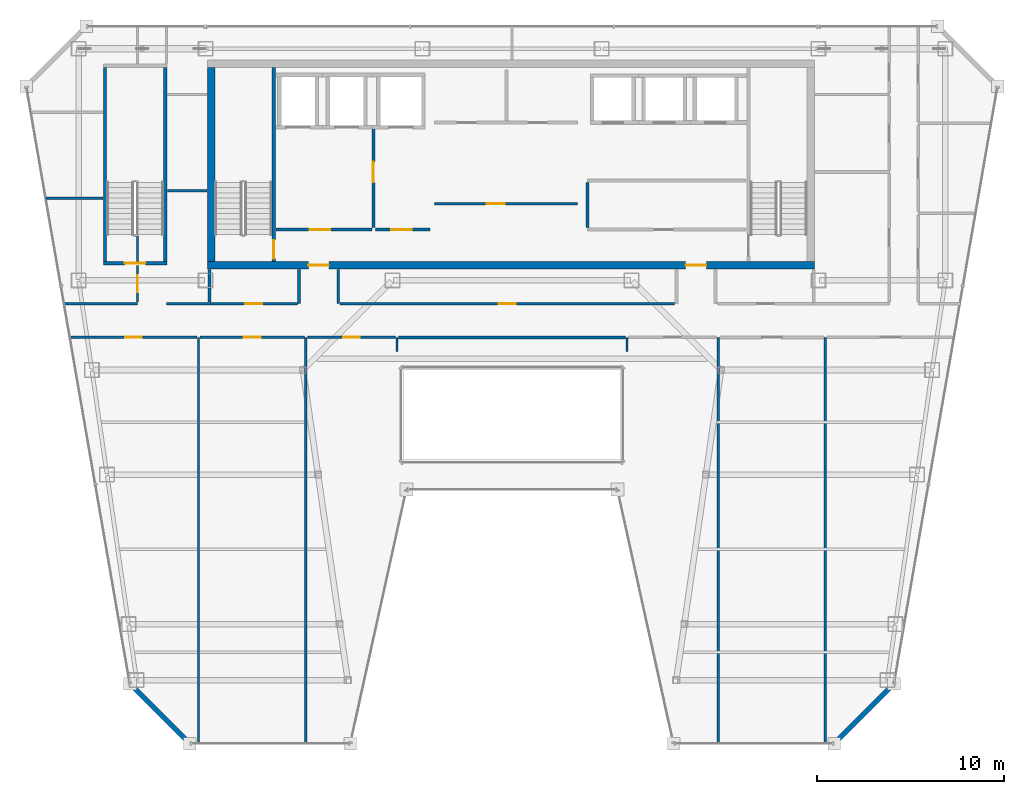
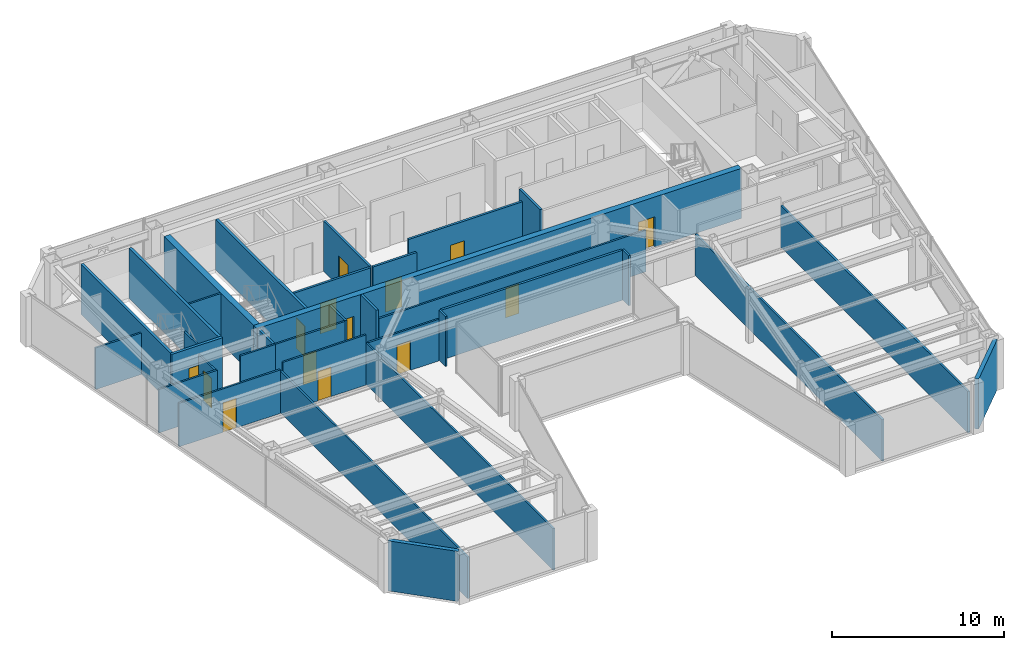
# One storey, part 26 of 32: 34 walls, 14 doors, 14 openings.
"""IFC4 building model written with IfcOpenShell, lengths in metres."""

from ifc_helpers import new_model, si_unit, direction, frame, frame_2d, origin, place, context, subcontext, project, spatial, rectangle, extrude, material, layer, layer_set, type_object, element, fill, save


model = new_model("IFC4")

# Units and contexts
model_context = context("Model", 3, precision=1e-05, world=origin(), true_north=direction((0.0, 1.0)))
body_context = subcontext(model_context, "Body", "Model", "MODEL_VIEW")
ifc_project = project(units=[si_unit("LENGTHUNIT", "METRE"), si_unit("AREAUNIT", "SQUARE_METRE"), si_unit("VOLUMEUNIT", "CUBIC_METRE"), si_unit("PLANEANGLEUNIT", "RADIAN"), si_unit("MASSUNIT", "GRAM", prefix="KILO")], contexts=[model_context])

# Site, building, storey
site_placement = place(None, origin())
site = spatial("IfcSite", under=ifc_project, at=site_placement, CompositionType="ELEMENT")
building_placement = place(site_placement, origin())
building = spatial("IfcBuilding", under=site, at=building_placement, Name="Saevonmaru Cultural Tower", CompositionType="ELEMENT")
storey_placement = place(building_placement, frame((0.0, 0.0, 245.800048828125)))
storey = spatial("IfcBuildingStorey", under=building, at=storey_placement, Name="L57", CompositionType="ELEMENT", Elevation=245.800048828125)

# Wall, openings, doors
ifc_material_1 = material(Name="Concrete C50/60", Category="concrete")
ifc_layer_1 = layer(ifc_material_1, 0.39990234375, Name="Concrete C50/60")
ifc_layer_set_1 = layer_set([ifc_layer_1], Name="Concrete C50/60")
wall_type_1 = type_object("IfcWallType", Name="WL-CORE-400", PredefinedType="SHEAR", material=ifc_layer_set_1)
wall_1_placement = place(storey_placement, frame((13.699951171875, 43.199951171875, 0.0), z_axis=(0.0, 0.0, 1.0), x_axis=(1.0, 0.0, 0.0)))
wall_1 = element("IfcWall", 1, at=wall_1_placement, inside=storey, type_object=wall_type_1, Name="L57 Tower RC core shear wall S", PredefinedType="SHEAR", context=body_context, shape_type="SweptSolid", body=[
    extrude(rectangle(XDim=32.5, YDim=0.39990234375, at=frame_2d((16.25, 0.0))), origin(), (0.0, 0.0, 1.0), 3.550048828125),
])
opening_1_placement = place(wall_1_placement, frame((5.39990234375, 0.0, 0.0)))
opening_1 = element("IfcOpeningElement", 2, at=opening_1_placement, cuts=wall_1, Name="Opening FD-2", PredefinedType="OPENING", context=body_context, shape_type="SweptSolid", body=[
    extrude(rectangle(XDim=1.10009765625, YDim=2.14990234375, at=frame_2d((0.550048828125, 1.074951171875))), frame((0.0, 0.2099609375, 0.0), z_axis=(0.0, -1.0, 0.0), x_axis=(1.0, 0.0, 0.0)), (0.0, 0.0, 1.0), 0.419921875),
])
opening_2_placement = place(wall_1_placement, frame((25.60009765625, 0.0, 0.0)))
opening_2 = element("IfcOpeningElement", 3, at=opening_2_placement, cuts=wall_1, Name="Opening FD-2", PredefinedType="OPENING", context=body_context, shape_type="SweptSolid", body=[
    extrude(rectangle(XDim=1.10009765625, YDim=2.14990234375, at=frame_2d((0.550048828125, 1.074951171875))), frame((0.0, 0.2099609375, 0.0), z_axis=(0.0, -1.0, 0.0), x_axis=(1.0, 0.0, 0.0)), (0.0, 0.0, 1.0), 0.419921875),
])
ifc_material_2 = material(Name="Satin Bronze Anodised Aluminium", Category="aluminium")
door_type_1 = type_object("IfcDoorType", Name="DR-FD60-1100", OperationType="SINGLE_SWING_LEFT", PredefinedType="DOOR", material=ifc_material_2)
door_1_placement = place(opening_1_placement, origin())
door_1 = element("IfcDoor", 4, at=door_1_placement, inside=storey, type_object=door_type_1, Name="L57 Core West Lobby Fire Door", OperationType="SINGLE_SWING_LEFT", OverallHeight=2.14990234375, OverallWidth=1.10009765625, PredefinedType="DOOR", context=body_context, shape_type="SweptSolid", body=[
    extrude(rectangle(XDim=1.10009765625, YDim=2.14990234375, at=frame_2d((0.550048828125, 1.074951171875))), frame((0.0, 0.02490234375, 0.0), z_axis=(0.0, -1.0, 0.0), x_axis=(1.0, 0.0, 0.0)), (0.0, 0.0, 1.0), 0.050048828125),
])
fill(opening_1, door_1)
door_2_placement = place(opening_2_placement, origin())
door_2 = element("IfcDoor", 5, at=door_2_placement, inside=storey, type_object=door_type_1, Name="L57 Core East Lobby Fire Door", OperationType="SINGLE_SWING_LEFT", OverallHeight=2.14990234375, OverallWidth=1.10009765625, PredefinedType="DOOR", context=body_context, shape_type="SweptSolid", body=[
    extrude(rectangle(XDim=1.10009765625, YDim=2.14990234375, at=frame_2d((0.550048828125, 1.074951171875))), frame((0.0, 0.02490234375, 0.0), z_axis=(0.0, -1.0, 0.0), x_axis=(1.0, 0.0, 0.0)), (0.0, 0.0, 1.0), 0.050048828125),
])
fill(opening_2, door_2)

# Wall
wall_2_placement = place(storey_placement, frame((13.89990234375, 43.39990234375, 0.0), z_axis=(0.0, 0.0, 1.0), x_axis=(0.0, 1.0, 0.0)))
element("IfcWall", 6, at=wall_2_placement, inside=storey, type_object=wall_type_1, Name="L57 Tower RC core shear wall W", PredefinedType="SHEAR", context=body_context, shape_type="SweptSolid", body=[
    extrude(rectangle(XDim=10.400146484375, YDim=0.39990234375, at=frame_2d((5.2001953125, 0.0))), origin(), (0.0, 0.0, 1.0), 3.550048828125),
])

# Wall, opening, door
ifc_material_3 = material(Name="Gypsum Fireboard Partition", Category="gypsum")
ifc_layer_2 = layer(ifc_material_3, 0.14990234375, Name="Gypsum Fireboard Partition")
ifc_layer_set_2 = layer_set([ifc_layer_2], Name="Gypsum Fireboard Partition")
wall_type_2 = type_object("IfcWallType", Name="WL-CORE-PART-150", PredefinedType="PARTITIONING", material=ifc_layer_set_2)
wall_3_placement = place(storey_placement, frame((17.360107421875, 45.1201171875, 0.0), z_axis=(0.0, 0.0, 1.0), x_axis=(1.0, 0.0, 0.0)))
wall_3 = element("IfcWall", 7, at=wall_3_placement, inside=storey, type_object=wall_type_2, Name="L57 Firefighting Lift Lobby South Wall", PredefinedType="PARTITIONING", context=body_context, shape_type="SweptSolid", body=[
    extrude(rectangle(XDim=5.139892578125, YDim=0.14990234375, at=frame_2d((2.56982421875, 0.0))), origin(), (0.0, 0.0, 1.0), 3.550048828125),
])
opening_3_placement = place(wall_3_placement, frame((1.800048828125, 0.0, 0.0)))
opening_3 = element("IfcOpeningElement", 8, at=opening_3_placement, cuts=wall_3, Name="Opening FD-2", PredefinedType="OPENING", context=body_context, shape_type="SweptSolid", body=[
    extrude(rectangle(XDim=1.10009765625, YDim=2.14990234375, at=frame_2d((0.550048828125, 1.074951171875))), frame((0.0, 0.0849609375, 0.0), z_axis=(0.0, -1.0, 0.0), x_axis=(1.0, 0.0, 0.0)), (0.0, 0.0, 1.0), 0.169921875),
])
door_3_placement = place(opening_3_placement, origin())
door_3 = element("IfcDoor", 9, at=door_3_placement, inside=storey, type_object=door_type_1, Name="L57 Firefighting Lift Lobby South Door", OperationType="SINGLE_SWING_LEFT", OverallHeight=2.14990234375, OverallWidth=1.10009765625, PredefinedType="DOOR", context=body_context, shape_type="SweptSolid", body=[
    extrude(rectangle(XDim=1.10009765625, YDim=2.14990234375, at=frame_2d((0.550048828125, 1.074951171875))), frame((0.0, 0.02490234375, 0.0), z_axis=(0.0, -1.0, 0.0), x_axis=(1.0, 0.0, 0.0)), (0.0, 0.0, 1.0), 0.050048828125),
])
fill(opening_3, door_3)

wall_4_placement = place(storey_placement, frame((22.580078125, 50.550048828125, 0.0), z_axis=(0.0, 0.0, 1.0), x_axis=(0.0, -1.0, 0.0)))
wall_4 = element("IfcWall", 10, at=wall_4_placement, inside=storey, type_object=wall_type_2, Name="L57 Firefighting Lift Lobby East Wall", PredefinedType="PARTITIONING", context=body_context, shape_type="SweptSolid", body=[
    extrude(rectangle(XDim=5.330078125, YDim=0.14990234375, at=frame_2d((2.6650390625, 0.0))), origin(), (0.0, 0.0, 1.0), 3.550048828125),
])
opening_4_placement = place(wall_4_placement, frame((1.800048828125, 0.0, 0.0)))
opening_4 = element("IfcOpeningElement", 11, at=opening_4_placement, cuts=wall_4, Name="Opening FD-2", PredefinedType="OPENING", context=body_context, shape_type="SweptSolid", body=[
    extrude(rectangle(XDim=1.10009765625, YDim=2.14990234375, at=frame_2d((0.550048828125, 1.074951171875))), frame((0.0, 0.0849609375, 0.0), z_axis=(0.0, -1.0, 0.0), x_axis=(1.0, 0.0, 0.0)), (0.0, 0.0, 1.0), 0.169921875),
])
door_4_placement = place(opening_4_placement, origin())
door_4 = element("IfcDoor", 12, at=door_4_placement, inside=storey, type_object=door_type_1, Name="L57 Firefighting Lift Lobby East Door", OperationType="SINGLE_SWING_LEFT", OverallHeight=2.14990234375, OverallWidth=1.10009765625, PredefinedType="DOOR", context=body_context, shape_type="SweptSolid", body=[
    extrude(rectangle(XDim=1.10009765625, YDim=2.14990234375, at=frame_2d((0.550048828125, 1.074951171875))), frame((0.0, 0.02490234375, 0.0), z_axis=(0.0, -1.0, 0.0), x_axis=(1.0, 0.0, 0.0)), (0.0, 0.0, 1.0), 0.050048828125),
])
fill(opening_4, door_4)

wall_5_placement = place(storey_placement, frame((22.679931640625, 45.1201171875, 0.0), z_axis=(0.0, 0.0, 1.0), x_axis=(1.0, 0.0, 0.0)))
wall_5 = element("IfcWall", 13, at=wall_5_placement, inside=storey, type_object=wall_type_2, Name="L57 Service Lift Vestibule Wall", PredefinedType="PARTITIONING", context=body_context, shape_type="SweptSolid", body=[
    extrude(rectangle(XDim=2.920166015625, YDim=0.14990234375, at=frame_2d((1.4599609375, 0.0))), origin(), (0.0, 0.0, 1.0), 3.550048828125),
])
opening_5_placement = place(wall_5_placement, frame((0.85009765625, 0.0, 0.0)))
opening_5 = element("IfcOpeningElement", 14, at=opening_5_placement, cuts=wall_5, Name="Opening FD-2", PredefinedType="OPENING", context=body_context, shape_type="SweptSolid", body=[
    extrude(rectangle(XDim=1.10009765625, YDim=2.14990234375, at=frame_2d((0.550048828125, 1.074951171875))), frame((0.0, 0.0849609375, 0.0), z_axis=(0.0, -1.0, 0.0), x_axis=(1.0, 0.0, 0.0)), (0.0, 0.0, 1.0), 0.169921875),
])
door_5_placement = place(opening_5_placement, origin())
door_5 = element("IfcDoor", 15, at=door_5_placement, inside=storey, type_object=door_type_1, Name="L57 Service Lift Vestibule Door", OperationType="SINGLE_SWING_LEFT", OverallHeight=2.14990234375, OverallWidth=1.10009765625, PredefinedType="DOOR", context=body_context, shape_type="SweptSolid", body=[
    extrude(rectangle(XDim=1.10009765625, YDim=2.14990234375, at=frame_2d((0.550048828125, 1.074951171875))), frame((0.0, 0.02490234375, 0.0), z_axis=(0.0, -1.0, 0.0), x_axis=(1.0, 0.0, 0.0)), (0.0, 0.0, 1.0), 0.050048828125),
])
fill(opening_5, door_5)

# Wall
wall_6_placement = place(storey_placement, frame((34.050048828125, 45.219970703125, 0.0), z_axis=(0.0, 0.0, 1.0), x_axis=(0.0, 1.0, 0.0)))
element("IfcWall", 16, at=wall_6_placement, inside=storey, type_object=wall_type_2, Name="L57 Core Service West Wall", PredefinedType="PARTITIONING", context=body_context, shape_type="SweptSolid", body=[
    extrude(rectangle(XDim=2.429931640625, YDim=0.14990234375, at=frame_2d((1.21484375, 0.0))), origin(), (0.0, 0.0, 1.0), 3.550048828125),
])

# Wall, opening, door
wall_7_placement = place(storey_placement, frame((25.85009765625, 46.5, 0.0), z_axis=(0.0, 0.0, 1.0), x_axis=(1.0, 0.0, 0.0)))
wall_7 = element("IfcWall", 17, at=wall_7_placement, inside=storey, type_object=wall_type_2, Name="L57 Reclaimed Mid-Shaft Wall", PredefinedType="PARTITIONING", context=body_context, shape_type="SweptSolid", body=[
    extrude(rectangle(XDim=7.64990234375, YDim=0.14990234375, at=frame_2d((3.824951171875, 0.0))), origin(), (0.0, 0.0, 1.0), 3.550048828125),
])
opening_6_placement = place(wall_7_placement, frame((2.800048828125, 0.0, 0.0)))
opening_6 = element("IfcOpeningElement", 18, at=opening_6_placement, cuts=wall_7, Name="Opening FD-4", PredefinedType="OPENING", context=body_context, shape_type="SweptSolid", body=[
    extrude(rectangle(XDim=0.949951171875, YDim=2.14990234375, at=frame_2d((0.47509765625, 1.074951171875))), frame((0.0, 0.0849609375, 0.0), z_axis=(0.0, -1.0, 0.0), x_axis=(1.0, 0.0, 0.0)), (0.0, 0.0, 1.0), 0.169921875),
])
door_type_2 = type_object("IfcDoorType", Name="DR-FD60-950", OperationType="SINGLE_SWING_LEFT", PredefinedType="DOOR", material=ifc_material_2)
door_6_placement = place(opening_6_placement, origin())
door_6 = element("IfcDoor", 19, at=door_6_placement, inside=storey, type_object=door_type_2, Name="L57 Reclaimed Manuscript Storage Door", OperationType="SINGLE_SWING_LEFT", OverallHeight=2.14990234375, OverallWidth=0.949951171875, PredefinedType="DOOR", context=body_context, shape_type="SweptSolid", body=[
    extrude(rectangle(XDim=0.949951171875, YDim=2.14990234375, at=frame_2d((0.47509765625, 1.074951171875))), frame((0.0, 0.02490234375, 0.0), z_axis=(0.0, -1.0, 0.0), x_axis=(1.0, 0.0, 0.0)), (0.0, 0.0, 1.0), 0.050048828125),
])
fill(opening_6, door_6)

# Walls
ifc_material_4 = material(Name="Granite-Clad Precast Concrete C40/50", Category="masonry")
ifc_layer_3 = layer(ifc_material_4, 0.260009765625, Name="Granite-Clad Precast Concrete C40/50")
ifc_layer_set_3 = layer_set([ifc_layer_3], Name="Granite-Clad Precast Concrete C40/50")
wall_type_3 = type_object("IfcWallType", Name="WL-EXT-SPANDREL-260", PredefinedType="STANDARD", material=ifc_layer_set_3)
for number, where, z_axis, x_axis, name in (
    (20, (9.659912109375, 20.68701171875, 0.0), (0.0, 0.0, 1.0), (0.70707775441, -0.707135806771, 0.0), "L57 Chamfer Corner Spandrel Wall E1"),
    (21, (47.366455078125, 17.713134765625, 0.0), (0.0, 0.0, 1.0), (0.70707775441, 0.707135806771, 0.0), "L57 Chamfer Corner Spandrel Wall E7"),
):
    element("IfcWall", number, at=place(storey_placement, frame(where, z_axis=z_axis, x_axis=x_axis)), inside=storey, type_object=wall_type_3, Name=name, PredefinedType="STANDARD", context=body_context, shape_type="SweptSolid", body=[
        extrude(rectangle(XDim=4.20556640625, YDim=0.260009765625, at=frame_2d((2.102783203125, 0.0))), origin(), (0.0, 0.0, 1.0), 3.550048828125),
    ])
ifc_layer_4 = layer(ifc_material_3, 0.14990234375, Name="Gypsum Fireboard Partition")
ifc_layer_set_4 = layer_set([ifc_layer_4], Name="Gypsum Fireboard Partition")
wall_type_4 = type_object("IfcWallType", Name="WL-PART-FIRE-150", PredefinedType="PARTITIONING", material=ifc_layer_set_4)
wall_8_placement = place(storey_placement, frame((13.800048828125, 41.22998046875, 0.0), z_axis=(0.0, 0.0, 1.0), x_axis=(0.0, 1.0, 0.0)))
element("IfcWall", 22, at=wall_8_placement, inside=storey, type_object=wall_type_4, Name="L57 Core Portal Side Wall W0", PredefinedType="PARTITIONING", context=body_context, shape_type="SweptSolid", body=[
    extrude(rectangle(XDim=1.75, YDim=0.14990234375, at=frame_2d((0.875, 0.0))), origin(), (0.0, 0.0, 1.0), 3.550048828125),
])
for number, where, z_axis, x_axis, name in (
    (23, (18.60009765625, 41.14990234375, 0.0), (0.0, 0.0, 1.0), (0.0, 1.0, 0.0), "L57 Core Portal Side Wall W1"),
    (24, (20.699951171875, 41.14990234375, 0.0), (0.0, 0.0, 1.0), (0.0, 1.0, 0.0), "L57 Core Portal Side Wall W2"),
):
    element("IfcWall", number, at=place(storey_placement, frame(where, z_axis=z_axis, x_axis=x_axis)), inside=storey, type_object=wall_type_4, Name=name, PredefinedType="PARTITIONING", context=body_context, shape_type="SweptSolid", body=[
        extrude(rectangle(XDim=1.830078125, YDim=0.14990234375, at=frame_2d((0.9150390625, 0.0))), origin(), (0.0, 0.0, 1.0), 3.550048828125),
    ])
wall_9_placement = place(storey_placement, frame((23.929931640625, 39.35009765625, 0.0), z_axis=(0.0, 0.0, 1.0), x_axis=(1.0, 0.0, 0.0)))
element("IfcWall", 25, at=wall_9_placement, inside=storey, type_object=wall_type_4, Name="L57 North Atrium Corridor Wall", PredefinedType="PARTITIONING", context=body_context, shape_type="SweptSolid", body=[
    extrude(rectangle(XDim=12.14013671875, YDim=0.14990234375, at=frame_2d((6.070068359375, 0.0))), origin(), (0.0, 0.0, 1.0), 3.550048828125),
])
ifc_layer_5 = layer(ifc_material_3, 0.1201171875, Name="Gypsum Fireboard Partition")
ifc_layer_set_5 = layer_set([ifc_layer_5], Name="Gypsum Fireboard Partition")
wall_type_5 = type_object("IfcWallType", Name="WL-PART-GYP-120", PredefinedType="PARTITIONING", material=ifc_layer_set_5)
wall_10_placement = place(storey_placement, frame((6.0244140625, 41.14990234375, 0.0), z_axis=(0.0, 0.0, 1.0), x_axis=(1.0, 0.0, 0.0)))
element("IfcWall", 26, at=wall_10_placement, inside=storey, type_object=wall_type_5, Name="L57 NW Wing South Wall", PredefinedType="PARTITIONING", context=body_context, shape_type="SweptSolid", body=[
    extrude(rectangle(XDim=3.925537109375, YDim=0.1201171875, at=frame_2d((1.962890625, 0.0))), origin(), (0.0, 0.0, 1.0), 3.0849609375),
])
wall_11_placement = place(storey_placement, frame((11.5, 41.14990234375, 0.0), z_axis=(0.0, 0.0, 1.0), x_axis=(1.0, 0.0, 0.0)))
element("IfcWall", 27, at=wall_11_placement, inside=storey, type_object=wall_type_5, Name="L57 NW Inner South Wall", PredefinedType="PARTITIONING", context=body_context, shape_type="SweptSolid", body=[
    extrude(rectangle(XDim=2.35009765625, YDim=0.1201171875, at=frame_2d((1.175048828125, 0.0))), origin(), (0.0, 0.0, 1.0), 3.550048828125),
])
wall_12_placement = place(storey_placement, frame((5.045166015625, 46.800048828125, 0.0), z_axis=(0.0, 0.0, 1.0), x_axis=(1.0, 0.0, 0.0)))
element("IfcWall", 28, at=wall_12_placement, inside=storey, type_object=wall_type_5, Name="L57 NW Studio Divider 1", PredefinedType="PARTITIONING", context=body_context, shape_type="SweptSolid", body=[
    extrude(rectangle(XDim=3.054931640625, YDim=0.1201171875, at=frame_2d((1.52734375, 0.0))), origin(), (0.0, 0.0, 1.0), 2.947021484375),
])

# Wall, opening, door
wall_13_placement = place(storey_placement, frame((9.949951171875, 41.22998046875, 0.0), z_axis=(0.0, 0.0, 1.0), x_axis=(0.0, 1.0, 0.0)))
wall_13 = element("IfcWall", 29, at=wall_13_placement, inside=storey, type_object=wall_type_5, Name="L57 Urban Design Meeting Room Corridor Wall", PredefinedType="PARTITIONING", context=body_context, shape_type="SweptSolid", body=[
    extrude(rectangle(XDim=1.969970703125, YDim=0.1201171875, at=frame_2d((0.98486328125, 0.0))), origin(), (0.0, 0.0, 1.0), 2.947021484375),
])
opening_7_placement = place(wall_13_placement, frame((0.534912109375, 0.0, 0.0)))
opening_7 = element("IfcOpeningElement", 30, at=opening_7_placement, cuts=wall_13, Name="Opening ID-2", PredefinedType="OPENING", context=body_context, shape_type="SweptSolid", body=[
    extrude(rectangle(XDim=0.89990234375, YDim=2.10009765625, at=frame_2d((0.449951171875, 1.050048828125))), frame((0.0, 0.070068359375, 0.0), z_axis=(0.0, -1.0, 0.0), x_axis=(1.0, 0.0, 0.0)), (0.0, 0.0, 1.0), 0.14013671875),
])
ifc_material_5 = material(Name="Acoustic Stained Oak Timber", Category="wood")
door_type_3 = type_object("IfcDoorType", Name="DR-INT-900", OperationType="SINGLE_SWING_RIGHT", PredefinedType="DOOR", material=ifc_material_5)
door_7_placement = place(opening_7_placement, origin())
door_7 = element("IfcDoor", 31, at=door_7_placement, inside=storey, type_object=door_type_3, Name="L57 Urban Design Meeting Room Door", OperationType="SINGLE_SWING_LEFT", OverallHeight=2.10009765625, OverallWidth=0.89990234375, PredefinedType="DOOR", context=body_context, shape_type="SweptSolid", body=[
    extrude(rectangle(XDim=0.89990234375, YDim=2.10009765625, at=frame_2d((0.449951171875, 1.050048828125))), frame((0.0, 0.02490234375, 0.0), z_axis=(0.0, -1.0, 0.0), x_axis=(1.0, 0.0, 0.0)), (0.0, 0.0, 1.0), 0.050048828125),
])
fill(opening_7, door_7)

# Walls
wall_14_placement = place(storey_placement, frame((9.949951171875, 43.419921875, 0.0), z_axis=(0.0, 0.0, 1.0), x_axis=(0.0, 1.0, 0.0)))
element("IfcWall", 32, at=wall_14_placement, inside=storey, type_object=wall_type_5, Name="L57 Urban Design Meeting Room Corridor Wall (2)", PredefinedType="PARTITIONING", context=body_context, shape_type="SweptSolid", body=[
    extrude(rectangle(XDim=1.4501953125, YDim=0.1201171875, at=frame_2d((0.72509765625, 0.0))), origin(), (0.0, 0.0, 1.0), 3.550048828125),
])
wall_15_placement = place(storey_placement, frame((11.550048828125, 47.199951171875, 0.0), z_axis=(0.0, 0.0, 1.0), x_axis=(1.0, 0.0, 0.0)))
element("IfcWall", 33, at=wall_15_placement, inside=storey, type_object=wall_type_5, Name="L57 NW Inner Divider", PredefinedType="PARTITIONING", context=body_context, shape_type="SweptSolid", body=[
    extrude(rectangle(XDim=2.1298828125, YDim=0.1201171875, at=frame_2d((1.06494140625, 0.0))), origin(), (0.0, 0.0, 1.0), 3.550048828125),
])

# Wall, opening, door
wall_16_placement = place(storey_placement, frame((13.85009765625, 41.14990234375, 0.0), z_axis=(0.0, 0.0, 1.0), x_axis=(1.0, 0.0, 0.0)))
wall_16 = element("IfcWall", 34, at=wall_16_placement, inside=storey, type_object=wall_type_5, Name="L57 Urban Design Meeting Room Corridor Wall", PredefinedType="PARTITIONING", context=body_context, shape_type="SweptSolid", body=[
    extrude(rectangle(XDim=4.65478515625, YDim=0.1201171875, at=frame_2d((2.327392578125, 0.0))), origin(), (0.0, 0.0, 1.0), 3.550048828125),
])
opening_8_placement = place(wall_16_placement, frame((1.876953125, 0.0, 0.0)))
opening_8 = element("IfcOpeningElement", 35, at=opening_8_placement, cuts=wall_16, Name="Opening ID-2", PredefinedType="OPENING", context=body_context, shape_type="SweptSolid", body=[
    extrude(rectangle(XDim=0.89990234375, YDim=2.10009765625, at=frame_2d((0.449951171875, 1.050048828125))), frame((0.0, 0.070068359375, 0.0), z_axis=(0.0, -1.0, 0.0), x_axis=(1.0, 0.0, 0.0)), (0.0, 0.0, 1.0), 0.14013671875),
])
door_8_placement = place(opening_8_placement, origin())
door_8 = element("IfcDoor", 36, at=door_8_placement, inside=storey, type_object=door_type_3, Name="L57 Urban Design Meeting Room Door", OperationType="SINGLE_SWING_LEFT", OverallHeight=2.10009765625, OverallWidth=0.89990234375, PredefinedType="DOOR", context=body_context, shape_type="SweptSolid", body=[
    extrude(rectangle(XDim=0.89990234375, YDim=2.10009765625, at=frame_2d((0.449951171875, 1.050048828125))), frame((0.0, 0.02490234375, 0.0), z_axis=(0.0, -1.0, 0.0), x_axis=(1.0, 0.0, 0.0)), (0.0, 0.0, 1.0), 0.050048828125),
])
fill(opening_8, door_8)

wall_17_placement = place(storey_placement, frame((20.794921875, 41.14990234375, 0.0), z_axis=(0.0, 0.0, 1.0), x_axis=(1.0, 0.0, 0.0)))
wall_17 = element("IfcWall", 37, at=wall_17_placement, inside=storey, type_object=wall_type_5, Name="L57 Curatorial Board Meeting Room Corridor Wall", PredefinedType="PARTITIONING", context=body_context, shape_type="SweptSolid", body=[
    extrude(rectangle(XDim=17.91015625, YDim=0.1201171875, at=frame_2d((8.955078125, 0.0))), origin(), (0.0, 0.0, 1.0), 2.947021484375),
])
opening_9_placement = place(wall_17_placement, frame((8.5048828125, 0.0, 0.0)))
opening_9 = element("IfcOpeningElement", 38, at=opening_9_placement, cuts=wall_17, Name="Opening ID-2", PredefinedType="OPENING", context=body_context, shape_type="SweptSolid", body=[
    extrude(rectangle(XDim=0.89990234375, YDim=2.10009765625, at=frame_2d((0.449951171875, 1.050048828125))), frame((0.0, 0.070068359375, 0.0), z_axis=(0.0, -1.0, 0.0), x_axis=(1.0, 0.0, 0.0)), (0.0, 0.0, 1.0), 0.14013671875),
])
door_9_placement = place(opening_9_placement, origin())
door_9 = element("IfcDoor", 39, at=door_9_placement, inside=storey, type_object=door_type_3, Name="L57 Curatorial Board Meeting Room Door", OperationType="SINGLE_SWING_RIGHT", OverallHeight=2.10009765625, OverallWidth=0.89990234375, PredefinedType="DOOR", context=body_context, shape_type="SweptSolid", body=[
    extrude(rectangle(XDim=0.89990234375, YDim=2.10009765625, at=frame_2d((0.449951171875, 1.050048828125))), frame((0.0, 0.02490234375, 0.0), z_axis=(0.0, -1.0, 0.0), x_axis=(1.0, 0.0, 0.0)), (0.0, 0.0, 1.0), 0.050048828125),
])
fill(opening_9, door_9)

# Walls
for number, where, z_axis, x_axis, name in (
    (40, (13.219970703125, 17.60498046875, 0.0), (0.0, 0.0, 1.0), (0.0, 1.0, 0.0), "L57 West Bay Divider 1"),
    (41, (18.9599609375, 17.60498046875, 0.0), (0.0, 0.0, 1.0), (0.0, 1.0, 0.0), "L57 West Bay Divider 2"),
):
    element("IfcWall", number, at=place(storey_placement, frame(where, z_axis=z_axis, x_axis=x_axis)), inside=storey, type_object=wall_type_5, Name=name, PredefinedType="PARTITIONING", context=body_context, shape_type="SweptSolid", body=[
        extrude(rectangle(XDim=21.7451171875, YDim=0.1201171875, at=frame_2d((10.87255859375, 0.0))), origin(), (0.0, 0.0, 1.0), 2.947021484375),
    ])
for number, where, z_axis, x_axis, name in (
    (42, (23.85009765625, 38.60009765625, 0.0), (0.0, 0.0, 1.0), (0.0, 1.0, 0.0), "L57 North Atrium West Wall"),
    (43, (36.14990234375, 38.60009765625, 0.0), (0.0, 0.0, 1.0), (0.0, 1.0, 0.0), "L57 North Atrium East Wall"),
):
    element("IfcWall", number, at=place(storey_placement, frame(where, z_axis=z_axis, x_axis=x_axis)), inside=storey, type_object=wall_type_5, Name=name, PredefinedType="PARTITIONING", context=body_context, shape_type="SweptSolid", body=[
        extrude(rectangle(XDim=0.75, YDim=0.1201171875, at=frame_2d((0.375, 0.0))), origin(), (0.0, 0.0, 1.0), 3.550048828125),
    ])

# Wall, opening, door
wall_18_placement = place(storey_placement, frame((6.33642578125, 39.35009765625, 0.0), z_axis=(0.0, 0.0, 1.0), x_axis=(1.0, 0.0, 0.0)))
wall_18 = element("IfcWall", 44, at=wall_18_placement, inside=storey, type_object=wall_type_5, Name="L57 Urban Design Meeting Room Corridor Wall", PredefinedType="PARTITIONING", context=body_context, shape_type="SweptSolid", body=[
    extrude(rectangle(XDim=6.803466796875, YDim=0.1201171875, at=frame_2d((3.40185546875, 0.0))), origin(), (0.0, 0.0, 1.0), 3.0849609375),
])
opening_10_placement = place(wall_18_placement, frame((2.951904296875, 0.0, 0.0)))
opening_10 = element("IfcOpeningElement", 45, at=opening_10_placement, cuts=wall_18, Name="Opening ID-2", PredefinedType="OPENING", context=body_context, shape_type="SweptSolid", body=[
    extrude(rectangle(XDim=0.89990234375, YDim=2.10009765625, at=frame_2d((0.449951171875, 1.050048828125))), frame((0.0, 0.070068359375, 0.0), z_axis=(0.0, -1.0, 0.0), x_axis=(1.0, 0.0, 0.0)), (0.0, 0.0, 1.0), 0.14013671875),
])
door_10_placement = place(opening_10_placement, origin())
door_10 = element("IfcDoor", 46, at=door_10_placement, inside=storey, type_object=door_type_3, Name="L57 Urban Design Meeting Room Door", OperationType="SINGLE_SWING_RIGHT", OverallHeight=2.10009765625, OverallWidth=0.89990234375, PredefinedType="DOOR", context=body_context, shape_type="SweptSolid", body=[
    extrude(rectangle(XDim=0.89990234375, YDim=2.10009765625, at=frame_2d((0.449951171875, 1.050048828125))), frame((0.0, 0.02490234375, 0.0), z_axis=(0.0, -1.0, 0.0), x_axis=(1.0, 0.0, 0.0)), (0.0, 0.0, 1.0), 0.050048828125),
])
fill(opening_10, door_10)

wall_19_placement = place(storey_placement, frame((13.300048828125, 39.35009765625, 0.0), z_axis=(0.0, 0.0, 1.0), x_axis=(1.0, 0.0, 0.0)))
wall_19 = element("IfcWall", 47, at=wall_19_placement, inside=storey, type_object=wall_type_5, Name="L57 Curatorial Board Meeting Room Corridor Wall", PredefinedType="PARTITIONING", context=body_context, shape_type="SweptSolid", body=[
    extrude(rectangle(XDim=5.579833984375, YDim=0.1201171875, at=frame_2d((2.7900390625, 0.0))), origin(), (0.0, 0.0, 1.0), 3.550048828125),
])
opening_11_placement = place(wall_19_placement, frame((2.340087890625, 0.0, 0.0)))
opening_11 = element("IfcOpeningElement", 48, at=opening_11_placement, cuts=wall_19, Name="Opening ID-2", PredefinedType="OPENING", context=body_context, shape_type="SweptSolid", body=[
    extrude(rectangle(XDim=0.89990234375, YDim=2.10009765625, at=frame_2d((0.449951171875, 1.050048828125))), frame((0.0, 0.070068359375, 0.0), z_axis=(0.0, -1.0, 0.0), x_axis=(1.0, 0.0, 0.0)), (0.0, 0.0, 1.0), 0.14013671875),
])
door_11_placement = place(opening_11_placement, origin())
door_11 = element("IfcDoor", 49, at=door_11_placement, inside=storey, type_object=door_type_3, Name="L57 Curatorial Board Meeting Room Door", OperationType="SINGLE_SWING_LEFT", OverallHeight=2.10009765625, OverallWidth=0.89990234375, PredefinedType="DOOR", context=body_context, shape_type="SweptSolid", body=[
    extrude(rectangle(XDim=0.89990234375, YDim=2.10009765625, at=frame_2d((0.449951171875, 1.050048828125))), frame((0.0, 0.02490234375, 0.0), z_axis=(0.0, -1.0, 0.0), x_axis=(1.0, 0.0, 0.0)), (0.0, 0.0, 1.0), 0.050048828125),
])
fill(opening_11, door_11)

wall_20_placement = place(storey_placement, frame((19.0400390625, 39.35009765625, 0.0), z_axis=(0.0, 0.0, 1.0), x_axis=(1.0, 0.0, 0.0)))
wall_20 = element("IfcWall", 50, at=wall_20_placement, inside=storey, type_object=wall_type_5, Name="L57 Literature Seminar Meeting Room Corridor Wall", PredefinedType="PARTITIONING", context=body_context, shape_type="SweptSolid", body=[
    extrude(rectangle(XDim=4.72998046875, YDim=0.1201171875, at=frame_2d((2.364990234375, 0.0))), origin(), (0.0, 0.0, 1.0), 2.947021484375),
])
opening_12_placement = place(wall_20_placement, frame((1.9150390625, 0.0, 0.0)))
opening_12 = element("IfcOpeningElement", 51, at=opening_12_placement, cuts=wall_20, Name="Opening ID-2", PredefinedType="OPENING", context=body_context, shape_type="SweptSolid", body=[
    extrude(rectangle(XDim=0.89990234375, YDim=2.10009765625, at=frame_2d((0.449951171875, 1.050048828125))), frame((0.0, 0.070068359375, 0.0), z_axis=(0.0, -1.0, 0.0), x_axis=(1.0, 0.0, 0.0)), (0.0, 0.0, 1.0), 0.14013671875),
])
door_12_placement = place(opening_12_placement, origin())
door_12 = element("IfcDoor", 52, at=door_12_placement, inside=storey, type_object=door_type_3, Name="L57 Literature Seminar Meeting Room Door", OperationType="SINGLE_SWING_RIGHT", OverallHeight=2.10009765625, OverallWidth=0.89990234375, PredefinedType="DOOR", context=body_context, shape_type="SweptSolid", body=[
    extrude(rectangle(XDim=0.89990234375, YDim=2.10009765625, at=frame_2d((0.449951171875, 1.050048828125))), frame((0.0, 0.02490234375, 0.0), z_axis=(0.0, -1.0, 0.0), x_axis=(1.0, 0.0, 0.0)), (0.0, 0.0, 1.0), 0.050048828125),
])
fill(opening_12, door_12)

# Walls
ifc_layer_6 = layer(ifc_material_3, 0.135009765625, Name="Gypsum Fireboard Partition")
ifc_layer_set_6 = layer_set([ifc_layer_6], Name="Gypsum Fireboard Partition")
wall_type_6 = type_object("IfcWallType", Name="WL-PART-GYP-135", PredefinedType="PARTITIONING", material=ifc_layer_set_6)
for number, where, z_axis, x_axis, name in (
    (53, (41.0400390625, 17.60498046875, 0.0), (0.0, 0.0, 1.0), (0.0, 1.0, 0.0), "L57 East Bay Divider 1"),
    (54, (46.780029296875, 17.60498046875, 0.0), (0.0, 0.0, 1.0), (0.0, 1.0, 0.0), "L57 East Bay Divider 2"),
):
    element("IfcWall", number, at=place(storey_placement, frame(where, z_axis=z_axis, x_axis=x_axis)), inside=storey, type_object=wall_type_6, Name=name, PredefinedType="PARTITIONING", context=body_context, shape_type="SweptSolid", body=[
        extrude(rectangle(XDim=21.7451171875, YDim=0.135009765625, at=frame_2d((10.87255859375, 0.0))), origin(), (0.0, 0.0, 1.0), 2.947021484375),
    ])

# Wall, opening, door
ifc_material_6 = material(Name="Concrete C40/50", Category="concrete")
ifc_layer_7 = layer(ifc_material_6, 0.179931640625, Name="Concrete C40/50")
ifc_layer_set_7 = layer_set([ifc_layer_7], Name="Concrete C40/50")
wall_type_7 = type_object("IfcWallType", Name="WL-STSHAFT-180", PredefinedType="SHEAR", material=ifc_layer_set_7)
wall_21_placement = place(storey_placement, frame((17.239990234375, 43.39990234375, 0.0), z_axis=(0.0, 0.0, 1.0), x_axis=(0.0, 1.0, 0.0)))
wall_21 = element("IfcWall", 55, at=wall_21_placement, inside=storey, type_object=wall_type_7, Name="L57 Stair ST-1 Structural Shaft Wall 1", PredefinedType="SHEAR", context=body_context, shape_type="SweptSolid", body=[
    extrude(rectangle(XDim=10.400146484375, YDim=0.179931640625, at=frame_2d((5.2001953125, 0.0))), origin(), (0.0, 0.0, 1.0), 3.550048828125),
])
opening_13_placement = place(wall_21_placement, frame((0.159912109375, 0.0, 0.0)))
opening_13 = element("IfcOpeningElement", 56, at=opening_13_placement, cuts=wall_21, Name="Opening FD-3", PredefinedType="OPENING", context=body_context, shape_type="SweptSolid", body=[
    extrude(rectangle(XDim=1.0, YDim=2.14990234375, at=frame_2d((0.5, 1.074951171875))), frame((0.0, 0.10009765625, 0.0), z_axis=(0.0, -1.0, 0.0), x_axis=(1.0, 0.0, 0.0)), (0.0, 0.0, 1.0), 0.199951171875),
])
door_type_4 = type_object("IfcDoorType", Name="DR-FD60-1000", OperationType="SINGLE_SWING_RIGHT", PredefinedType="DOOR", material=ifc_material_2)
door_13_placement = place(opening_13_placement, origin())
door_13 = element("IfcDoor", 57, at=door_13_placement, inside=storey, type_object=door_type_4, Name="L57 Protected Stair ST-1 Fire Door", OperationType="SINGLE_SWING_RIGHT", OverallHeight=2.14990234375, OverallWidth=1.0, PredefinedType="DOOR", context=body_context, shape_type="SweptSolid", body=[
    extrude(rectangle(XDim=1.0, YDim=2.14990234375, at=frame_2d((0.5, 1.074951171875))), frame((0.0, 0.02490234375, 0.0), z_axis=(0.0, -1.0, 0.0), x_axis=(1.0, 0.0, 0.0)), (0.0, 0.0, 1.0), 0.050048828125),
])
fill(opening_13, door_13)

wall_22_placement = place(storey_placement, frame((8.1201171875, 43.31005859375, 0.0), z_axis=(0.0, 0.0, 1.0), x_axis=(1.0, 0.0, 0.0)))
wall_22 = element("IfcWall", 58, at=wall_22_placement, inside=storey, type_object=wall_type_7, Name="L57 Stair ST-3 Structural Shaft Wall 1", PredefinedType="SHEAR", context=body_context, shape_type="SweptSolid", body=[
    extrude(rectangle(XDim=3.409912109375, YDim=0.179931640625, at=frame_2d((1.705078125, 0.0))), origin(), (0.0, 0.0, 1.0), 3.550048828125),
])
opening_14_placement = place(wall_22_placement, frame((1.14990234375, 0.0, 0.0)))
opening_14 = element("IfcOpeningElement", 59, at=opening_14_placement, cuts=wall_22, Name="Opening FD-2", PredefinedType="OPENING", context=body_context, shape_type="SweptSolid", body=[
    extrude(rectangle(XDim=1.10009765625, YDim=2.14990234375, at=frame_2d((0.550048828125, 1.074951171875))), frame((0.0, 0.10009765625, 0.0), z_axis=(0.0, -1.0, 0.0), x_axis=(1.0, 0.0, 0.0)), (0.0, 0.0, 1.0), 0.199951171875),
])
door_14_placement = place(opening_14_placement, origin())
door_14 = element("IfcDoor", 60, at=door_14_placement, inside=storey, type_object=door_type_1, Name="L57 Protected Stair ST-3 Fire Door", OperationType="SINGLE_SWING_LEFT", OverallHeight=2.14990234375, OverallWidth=1.10009765625, PredefinedType="DOOR", context=body_context, shape_type="SweptSolid", body=[
    extrude(rectangle(XDim=1.10009765625, YDim=2.14990234375, at=frame_2d((0.550048828125, 1.074951171875))), frame((0.0, 0.02490234375, 0.0), z_axis=(0.0, -1.0, 0.0), x_axis=(1.0, 0.0, 0.0)), (0.0, 0.0, 1.0), 0.050048828125),
])
fill(opening_14, door_14)

# Walls
for number, where, z_axis, x_axis, name in (
    (61, (11.43994140625, 43.39990234375, 0.0), (0.0, 0.0, 1.0), (0.0, 1.0, 0.0), "L57 Stair ST-3 Structural Shaft Wall 2"),
    (62, (8.2099609375, 53.800048828125, 0.0), (0.0, 0.0, 1.0), (0.0, -1.0, 0.0), "L57 Stair ST-3 Structural Shaft Wall 4"),
):
    element("IfcWall", number, at=place(storey_placement, frame(where, z_axis=z_axis, x_axis=x_axis)), inside=storey, type_object=wall_type_7, Name=name, PredefinedType="SHEAR", context=body_context, shape_type="SweptSolid", body=[
        extrude(rectangle(XDim=10.400146484375, YDim=0.179931640625, at=frame_2d((5.2001953125, 0.0))), origin(), (0.0, 0.0, 1.0), 3.550048828125),
    ])

save(model, "model.ifc")
